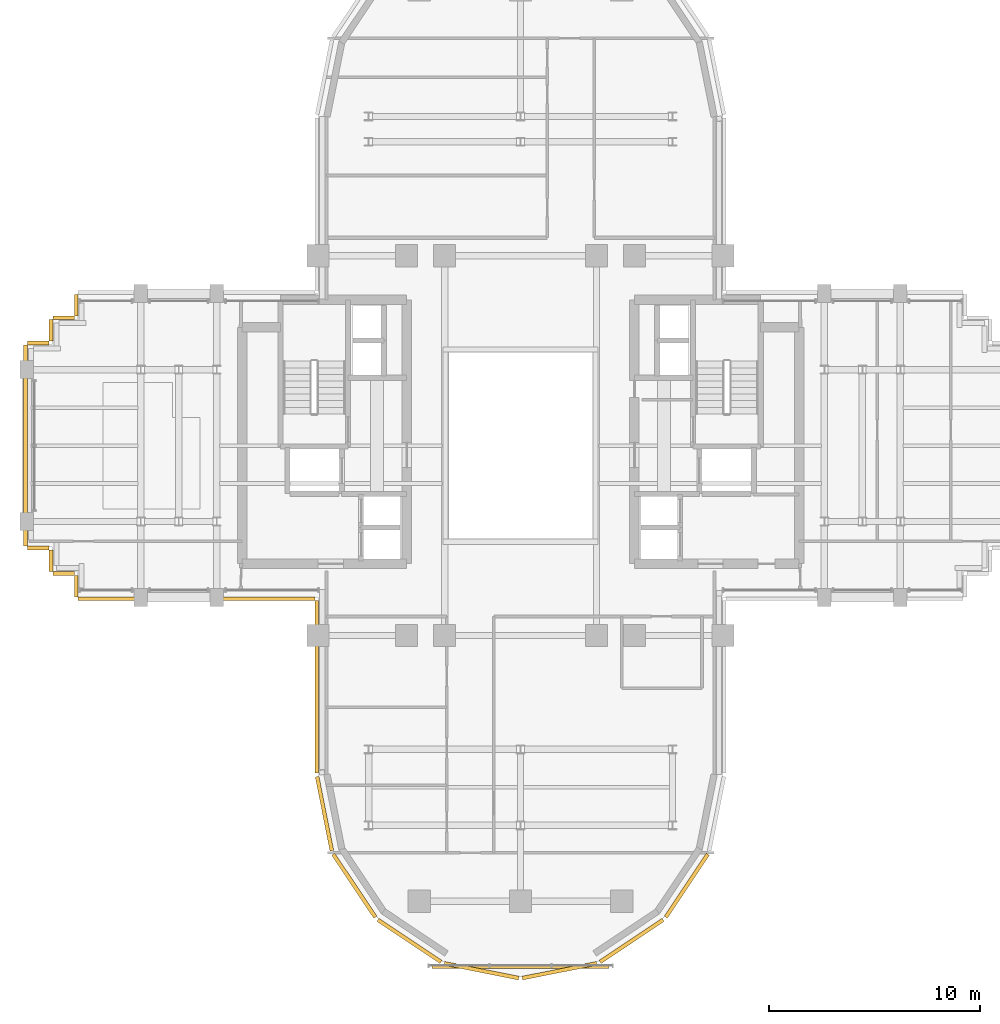
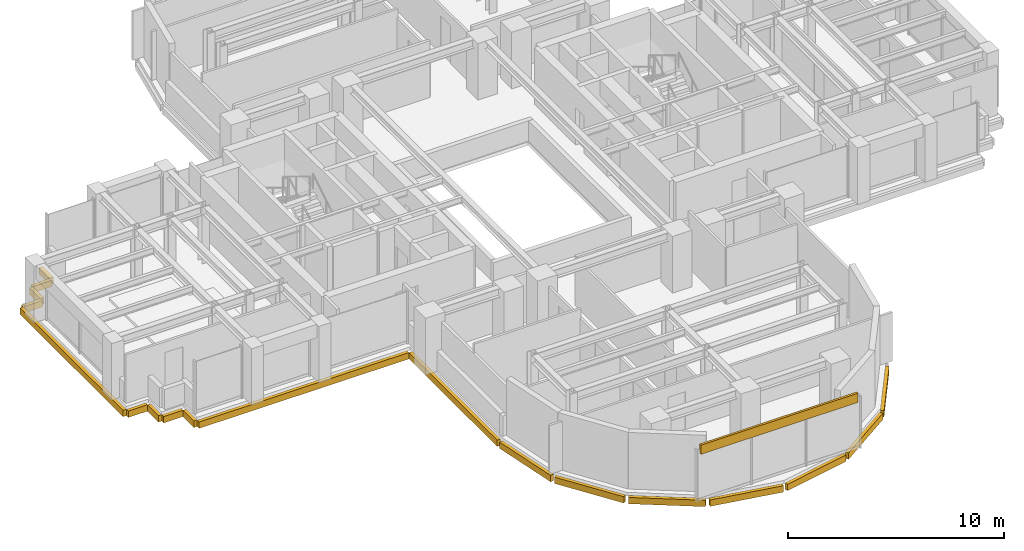
# One storey, part 11 of 13: 19 coverings.
"""IFC4 building model written with IfcOpenShell, lengths in metres."""

from ifc_helpers import new_model, si_unit, direction, frame, origin, origin_2d, place, context, subcontext, project, spatial, rectangle, extrude, source, transform, mapped, material, layer, layer_set, type_object, element, save


model = new_model("IFC4")

# Units and contexts
model_context = context("Model", 3, precision=1e-05, world=origin(), true_north=direction((0.0, 1.0)))
body_context = subcontext(model_context, "Body", "Model", "MODEL_VIEW")
ifc_project = project(units=[si_unit("LENGTHUNIT", "METRE"), si_unit("AREAUNIT", "SQUARE_METRE"), si_unit("VOLUMEUNIT", "CUBIC_METRE"), si_unit("PLANEANGLEUNIT", "RADIAN"), si_unit("MASSUNIT", "GRAM", prefix="KILO")], contexts=[model_context])

# Site, building, storey
site_placement = place(None, origin())
site = spatial("IfcSite", under=ifc_project, at=site_placement, CompositionType="ELEMENT")
building_placement = place(site_placement, origin())
building = spatial("IfcBuilding", under=site, at=building_placement, Name="Keilestroom Media Tower", CompositionType="ELEMENT")
storey_placement = place(building_placement, frame((0.0, 0.0, 131.199951171875)))
storey = spatial("IfcBuildingStorey", under=building, at=storey_placement, Name="L35", CompositionType="ELEMENT", Elevation=131.199951171875)

# Coverings
ifc_material = material(Name="Precast concrete C40/50", Category="concrete")
ifc_layer = layer(ifc_material, 0.1201171875)
ifc_layer_set = layer_set([ifc_layer], Name="Precast concrete C40/50")
covering_type = type_object("IfcCoveringType", Name="Exterior-Precast-Spandrel-Cladding-Panel-120", PredefinedType="CLADDING", material=ifc_layer_set)
shared_shape_1 = source(origin(), body_context, "Body", "SweptSolid", [
    extrude(rectangle(XDim=8.39990234375, YDim=0.1201171875, at=origin_2d()), origin(), (0.0, 0.0, 1.0), 0.52001953125),
])
covering_1_placement = place(storey_placement, frame((0.0, -24.719970703125, 2.68994140625), z_axis=(0.0, 0.0, 1.0), x_axis=(1.0, 0.0, 0.0)))
element("IfcCovering", 1, at=covering_1_placement, inside=storey, type_object=covering_type, Name="L35 Precast Spandrel Cladding S", PredefinedType="CLADDING", context=body_context, shape_type="MappedRepresentation", body=[
    mapped(shared_shape_1, transform((0.0, 0.0, 0.0), x_axis=(1.0, 0.0, 0.0), y_axis=(0.0, 1.0, 0.0), z_axis=(0.0, 0.0, 1.0), scale=1.0)),
])
shared_shape_2 = source(origin(), body_context, "Body", "SweptSolid", [
    extrude(rectangle(XDim=1.02001953125, YDim=0.179931640625, at=origin_2d()), origin(), (0.0, 0.0, 1.0), 0.360107421875),
])
for number, where, z_axis, x_axis, name in (
    (2, (-21.06005859375, -6.659912109375, -0.5400390625), (0.0, 0.0, 1.0), (0.0, 1.0, 0.0), "L35 Precast Slab-Edge Fascia Cornice 17"),
    (3, (-21.659912109375, -6.06005859375, -0.5400390625), (0.0, 0.0, 1.0), (-1.0, 0.0, 0.0), "L35 Precast Slab-Edge Fascia Cornice 18"),
    (4, (-22.260009765625, -5.4599609375, -0.5400390625), (0.0, 0.0, 1.0), (0.0, 1.0, 0.0), "L35 Precast Slab-Edge Fascia Cornice 19"),
    (5, (-22.860107421875, -4.860107421875, -0.5400390625), (0.0, 0.0, 1.0), (-1.0, 0.0, 0.0), "L35 Precast Slab-Edge Fascia Cornice 20"),
    (6, (-22.860107421875, 4.860107421875, -0.5400390625), (0.0, 0.0, 1.0), (1.0, 0.0, 0.0), "L35 Precast Slab-Edge Fascia Cornice 22"),
    (7, (-22.260009765625, 5.4599609375, -0.5400390625), (0.0, 0.0, 1.0), (0.0, 1.0, 0.0), "L35 Precast Slab-Edge Fascia Cornice 23"),
    (8, (-21.659912109375, 6.06005859375, -0.5400390625), (0.0, 0.0, 1.0), (1.0, 0.0, 0.0), "L35 Precast Slab-Edge Fascia Cornice 24"),
    (9, (-21.06005859375, 6.659912109375, -0.5400390625), (0.0, 0.0, 1.0), (0.0, 1.0, 0.0), "L35 Precast Slab-Edge Fascia Cornice 25"),
):
    element("IfcCovering", number, at=place(storey_placement, frame(where, z_axis=z_axis, x_axis=x_axis)), inside=storey, type_object=covering_type, Name=name, PredefinedType="CLADDING", context=body_context, shape_type="MappedRepresentation", body=[
        mapped(shared_shape_2, transform((0.0, 0.0, 0.0), x_axis=(1.0, 0.0, 0.0), y_axis=(0.0, 1.0, 0.0), z_axis=(0.0, 0.0, 1.0), scale=1.0)),
    ])
shared_shape_3 = source(origin(), body_context, "Body", "SweptSolid", [
    extrude(rectangle(XDim=8.166015625, YDim=0.179931640625, at=origin_2d()), origin(), (0.0, 0.0, 1.0), 0.360107421875),
])
covering_2_placement = place(storey_placement, frame((-9.659912109375, -11.43310546875, -0.5400390625), z_axis=(0.0, 0.0, 1.0), x_axis=(0.0, 1.0, 0.0)))
element("IfcCovering", 10, at=covering_2_placement, inside=storey, type_object=covering_type, Name="L35 Precast Slab-Edge Fascia Cornice 15", PredefinedType="CLADDING", context=body_context, shape_type="MappedRepresentation", body=[
    mapped(shared_shape_3, transform((0.0, 0.0, 0.0), x_axis=(1.0, 0.0, 0.0), y_axis=(0.0, 1.0, 0.0), z_axis=(0.0, 0.0, 1.0), scale=1.0)),
])
shared_shape_4 = source(origin(), body_context, "Body", "SweptSolid", [
    extrude(rectangle(XDim=3.58349609375, YDim=0.179931640625, at=origin_2d()), origin(), (0.0, 0.0, 1.0), 0.360107421875),
])
covering_3_placement = place(storey_placement, frame((-9.29296875, -17.45166015625, -0.5400390625), z_axis=(0.0, 0.0, 1.0), x_axis=(-0.195098880975, 0.980783577882, 0.0)))
element("IfcCovering", 11, at=covering_3_placement, inside=storey, type_object=covering_type, Name="L35 Precast Slab-Edge Fascia Cornice 14", PredefinedType="CLADDING", context=body_context, shape_type="MappedRepresentation", body=[
    mapped(shared_shape_4, transform((0.0, 0.0, 0.0), x_axis=(1.0, 0.0, 0.0), y_axis=(0.0, 1.0, 0.0), z_axis=(0.0, 0.0, 1.0), scale=1.0)),
])
shared_shape_5 = source(origin(), body_context, "Body", "SweptSolid", [
    extrude(rectangle(XDim=3.589599609375, YDim=0.179931640625, at=origin_2d()), origin(), (0.0, 0.0, 1.0), 0.360107421875),
])
for number, where, z_axis, x_axis, name in (
    (12, (7.878662109375, -20.8642578125, -0.5400390625), (0.0, 0.0, 1.0), (-0.555574586577, -0.831466703332, 0.0), "L35 Precast Slab-Edge Fascia Cornice 08"),
    (13, (5.264404296875, -23.478515625, -0.5400390625), (0.0, 0.0, 1.0), (-0.831466703332, -0.555574586577, 0.0), "L35 Precast Slab-Edge Fascia Cornice 09"),
    (14, (1.8486328125, -24.893310546875, -0.5400390625), (0.0, 0.0, 1.0), (-0.980783577882, -0.195098880975, 0.0), "L35 Precast Slab-Edge Fascia Cornice 10"),
    (15, (-1.8486328125, -24.893310546875, -0.5400390625), (0.0, 0.0, 1.0), (-0.980783577882, 0.195098880975, 0.0), "L35 Precast Slab-Edge Fascia Cornice 11"),
    (16, (-5.264404296875, -23.478515625, -0.5400390625), (0.0, 0.0, 1.0), (-0.831466703332, 0.555574586577, 0.0), "L35 Precast Slab-Edge Fascia Cornice 12"),
    (17, (-7.878662109375, -20.8642578125, -0.5400390625), (0.0, 0.0, 1.0), (-0.555574586577, 0.831466703332, 0.0), "L35 Precast Slab-Edge Fascia Cornice 13"),
):
    element("IfcCovering", number, at=place(storey_placement, frame(where, z_axis=z_axis, x_axis=x_axis)), inside=storey, type_object=covering_type, Name=name, PredefinedType="CLADDING", context=body_context, shape_type="MappedRepresentation", body=[
        mapped(shared_shape_5, transform((0.0, 0.0, 0.0), x_axis=(1.0, 0.0, 0.0), y_axis=(0.0, 1.0, 0.0), z_axis=(0.0, 0.0, 1.0), scale=1.0)),
    ])
shared_shape_6 = source(origin(), body_context, "Body", "SweptSolid", [
    extrude(rectangle(XDim=9.5400390625, YDim=0.179931640625, at=origin_2d()), origin(), (0.0, 0.0, 1.0), 0.360107421875),
])
covering_4_placement = place(storey_placement, frame((-23.4599609375, 0.0, -0.5400390625), z_axis=(0.0, 0.0, 1.0), x_axis=(0.0, 1.0, 0.0)))
element("IfcCovering", 18, at=covering_4_placement, inside=storey, type_object=covering_type, Name="L35 Precast Slab-Edge Fascia Cornice 21", PredefinedType="CLADDING", context=body_context, shape_type="MappedRepresentation", body=[
    mapped(shared_shape_6, transform((0.0, 0.0, 0.0), x_axis=(1.0, 0.0, 0.0), y_axis=(0.0, 1.0, 0.0), z_axis=(0.0, 0.0, 1.0), scale=1.0)),
])
shared_shape_7 = source(origin(), body_context, "Body", "SweptSolid", [
    extrude(rectangle(XDim=11.219970703125, YDim=0.179931640625, at=origin_2d()), origin(), (0.0, 0.0, 1.0), 0.360107421875),
])
covering_5_placement = place(storey_placement, frame((-15.360107421875, -7.260009765625, -0.5400390625), z_axis=(0.0, 0.0, 1.0), x_axis=(-1.0, 0.0, 0.0)))
element("IfcCovering", 19, at=covering_5_placement, inside=storey, type_object=covering_type, Name="L35 Precast Slab-Edge Fascia Cornice 16", PredefinedType="CLADDING", context=body_context, shape_type="MappedRepresentation", body=[
    mapped(shared_shape_7, transform((0.0, 0.0, 0.0), x_axis=(1.0, 0.0, 0.0), y_axis=(0.0, 1.0, 0.0), z_axis=(0.0, 0.0, 1.0), scale=1.0)),
])

save(model, "model.ifc")
